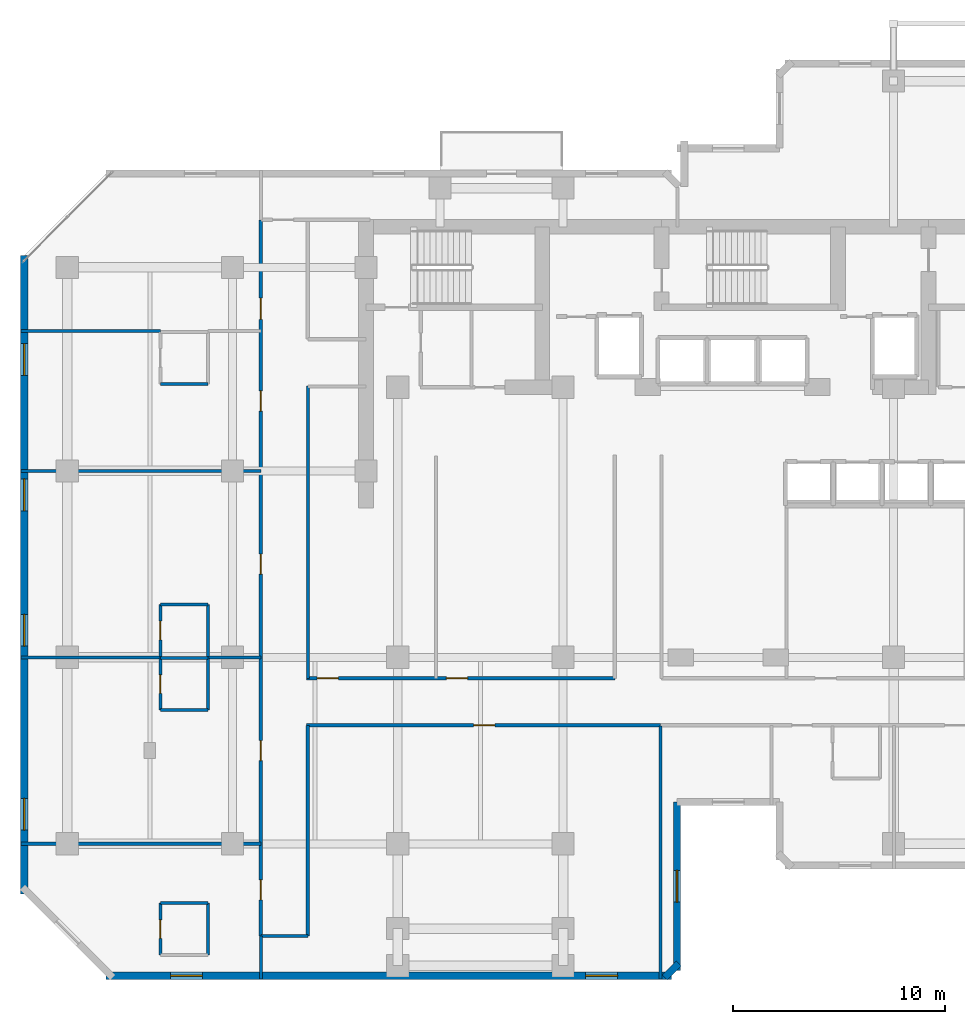
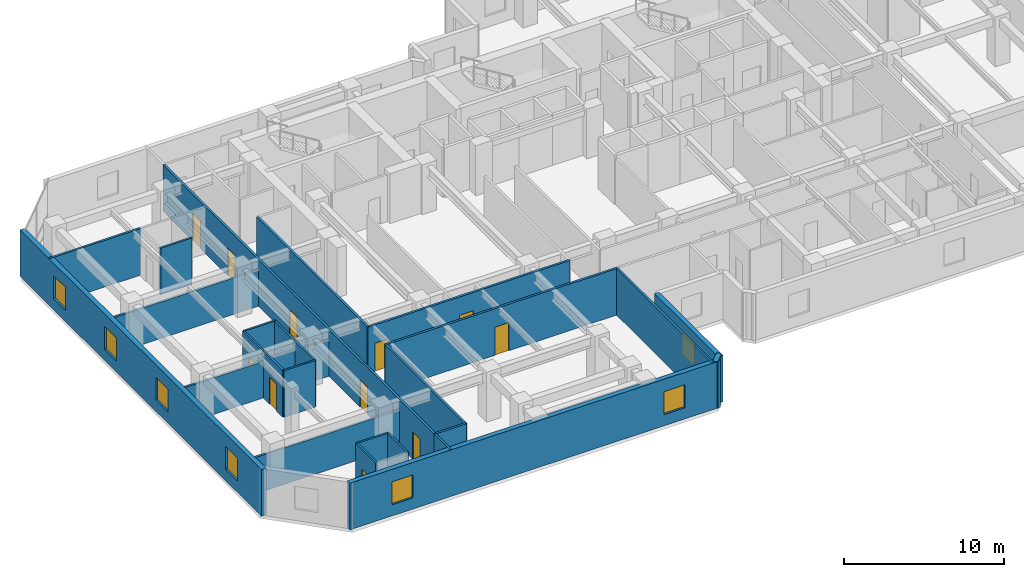
# One storey, part 4 of 9: 28 walls, 11 doors, 7 windows, 18 openings.
"""IFC4 building model written with IfcOpenShell, lengths in metres."""

from ifc_helpers import new_model, si_unit, direction, frame, frame_2d, origin, place, context, subcontext, project, spatial, rectangle, extrude, material, layer, layer_set, type_object, element, fill, save


model = new_model("IFC4")

# Units and contexts
model_context = context("Model", 3, precision=1e-05, world=origin(), true_north=direction((0.0, 1.0)))
body_context = subcontext(model_context, "Body", "Model", "MODEL_VIEW")
ifc_project = project(units=[si_unit("LENGTHUNIT", "METRE"), si_unit("AREAUNIT", "SQUARE_METRE"), si_unit("VOLUMEUNIT", "CUBIC_METRE"), si_unit("PLANEANGLEUNIT", "RADIAN"), si_unit("MASSUNIT", "GRAM", prefix="KILO")], contexts=[model_context])

# Site, building, storey
site_placement = place(None, origin())
site = spatial("IfcSite", under=ifc_project, at=site_placement, CompositionType="ELEMENT")
building_placement = place(site_placement, origin())
building = spatial("IfcBuilding", under=site, at=building_placement, Name="Kestravale Grand Hotel", CompositionType="ELEMENT")
storey_placement = place(building_placement, frame((0.0, 0.0, 146.0)))
storey = spatial("IfcBuildingStorey", under=building, at=storey_placement, Name="L36", CompositionType="ELEMENT", Elevation=146.0)

# Wall, openings, windows
ifc_material_1 = material(Name="Precast concrete f'c 45 MPa", Category="concrete")
ifc_layer_1 = layer(ifc_material_1, 0.340087890625)
ifc_layer_set_1 = layer_set([ifc_layer_1], Name="EW-PREC-340")
wall_type_1 = type_object("IfcWallType", Name="EW-PREC-340", PredefinedType="SOLIDWALL", material=ifc_layer_set_1)
wall_1_placement = place(storey_placement, frame((9.6298828125, 4.969970703125, 0.0), z_axis=(0.0, 0.0, 1.0), x_axis=(1.0, 0.0, 0.0)))
wall_1 = element("IfcWall", 1, at=wall_1_placement, inside=storey, type_object=wall_type_1, Name="L36 fluted precast facade wall 1", PredefinedType="SOLIDWALL", context=body_context, shape_type="SweptSolid", body=[
    extrude(rectangle(XDim=26.690185546875, YDim=0.340087890625, at=frame_2d((13.34521484375, 0.0))), origin(), (0.0, 0.0, 1.0), 3.550048828125),
])
opening_1_placement = place(wall_1_placement, frame((3.04833984375, 0.0, 0.85009765625)))
opening_1 = element("IfcOpeningElement", 2, at=opening_1_placement, cuts=wall_1, Name="Opening W-GUEST-1500", PredefinedType="OPENING", context=body_context, shape_type="SweptSolid", body=[
    extrude(rectangle(XDim=1.5, YDim=1.75, at=frame_2d((0.75, 0.875))), frame((0.0, 0.179931640625, 0.0), z_axis=(0.0, -1.0, 0.0), x_axis=(1.0, 0.0, 0.0)), (0.0, 0.0, 1.0), 0.360107421875),
])
opening_2_placement = place(wall_1_placement, frame((22.6416015625, 0.0, 0.85009765625)))
opening_2 = element("IfcOpeningElement", 3, at=opening_2_placement, cuts=wall_1, Name="Opening W-GUEST-1500", PredefinedType="OPENING", context=body_context, shape_type="SweptSolid", body=[
    extrude(rectangle(XDim=1.5, YDim=1.75, at=frame_2d((0.75, 0.875))), frame((0.0, 0.179931640625, 0.0), z_axis=(0.0, -1.0, 0.0), x_axis=(1.0, 0.0, 0.0)), (0.0, 0.0, 1.0), 0.360107421875),
])
ifc_material_2 = material(Name="Insulated low-E double glazing in aluminium frame", Category="aluminium")
window_type = type_object("IfcWindowType", Name="W-GUEST-1500", PartitioningType="SINGLE_PANEL", PredefinedType="WINDOW", material=ifc_material_2)
window_1_placement = place(opening_1_placement, origin())
window_1 = element("IfcWindow", 4, at=window_1_placement, inside=storey, type_object=window_type, Name="L36 exterior window 1.1", OverallHeight=1.75, OverallWidth=1.5, PartitioningType="SINGLE_PANEL", PredefinedType="WINDOW", context=body_context, shape_type="SweptSolid", body=[
    extrude(rectangle(XDim=1.5, YDim=1.75, at=frame_2d((0.75, 0.875))), frame((0.0, 0.030029296875, 0.0), z_axis=(0.0, -1.0, 0.0), x_axis=(1.0, 0.0, 0.0)), (0.0, 0.0, 1.0), 0.06005859375),
])
fill(opening_1, window_1)
window_2_placement = place(opening_2_placement, origin())
window_2 = element("IfcWindow", 5, at=window_2_placement, inside=storey, type_object=window_type, Name="L36 exterior window 1.2", OverallHeight=1.75, OverallWidth=1.5, PartitioningType="SINGLE_PANEL", PredefinedType="WINDOW", context=body_context, shape_type="SweptSolid", body=[
    extrude(rectangle(XDim=1.5, YDim=1.75, at=frame_2d((0.75, 0.875))), frame((0.0, 0.030029296875, 0.0), z_axis=(0.0, -1.0, 0.0), x_axis=(1.0, 0.0, 0.0)), (0.0, 0.0, 1.0), 0.06005859375),
])
fill(opening_2, window_2)

# Wall
wall_2_placement = place(storey_placement, frame((36.00146484375, 4.891845703125, 0.0), z_axis=(0.0, 0.0, 1.0), x_axis=(0.707106781187, 0.707106781187, 0.0)))
element("IfcWall", 6, at=wall_2_placement, inside=storey, type_object=wall_type_1, Name="L36 fluted precast facade wall 2", PredefinedType="SOLIDWALL", context=body_context, shape_type="SweptSolid", body=[
    extrude(rectangle(XDim=0.9287109375, YDim=0.340087890625, at=frame_2d((0.46435546875, 0.0))), origin(), (0.0, 0.0, 1.0), 3.550048828125),
])

# Wall, opening, window
wall_3_placement = place(storey_placement, frame((36.580078125, 5.22998046875, 0.0), z_axis=(0.0, 0.0, 1.0), x_axis=(0.0, 1.0, 0.0)))
wall_3 = element("IfcWall", 7, at=wall_3_placement, inside=storey, type_object=wall_type_1, Name="L36 fluted precast facade wall 3", PredefinedType="SOLIDWALL", context=body_context, shape_type="SweptSolid", body=[
    extrude(rectangle(XDim=7.93994140625, YDim=0.340087890625, at=frame_2d((3.969970703125, 0.0))), origin(), (0.0, 0.0, 1.0), 3.550048828125),
])
opening_3_placement = place(wall_3_placement, frame((3.219970703125, 0.0, 0.85009765625)))
opening_3 = element("IfcOpeningElement", 8, at=opening_3_placement, cuts=wall_3, Name="Opening W-GUEST-1500", PredefinedType="OPENING", context=body_context, shape_type="SweptSolid", body=[
    extrude(rectangle(XDim=1.5, YDim=1.75, at=frame_2d((0.75, 0.875))), frame((0.0, 0.179931640625, 0.0), z_axis=(0.0, -1.0, 0.0), x_axis=(1.0, 0.0, 0.0)), (0.0, 0.0, 1.0), 0.360107421875),
])
window_3_placement = place(opening_3_placement, origin())
window_3 = element("IfcWindow", 9, at=window_3_placement, inside=storey, type_object=window_type, Name="L36 exterior window 3.1", OverallHeight=1.75, OverallWidth=1.5, PartitioningType="SINGLE_PANEL", PredefinedType="WINDOW", context=body_context, shape_type="SweptSolid", body=[
    extrude(rectangle(XDim=1.5, YDim=1.75, at=frame_2d((0.75, 0.875))), frame((0.0, 0.030029296875, 0.0), z_axis=(0.0, -1.0, 0.0), x_axis=(1.0, 0.0, 0.0)), (0.0, 0.0, 1.0), 0.06005859375),
])
fill(opening_3, window_3)

# Wall, openings, windows
wall_4_placement = place(storey_placement, frame((5.77001953125, 38.969970703125, 0.0), z_axis=(0.0, 0.0, 1.0), x_axis=(0.0, -1.0, 0.0)))
wall_4 = element("IfcWall", 10, at=wall_4_placement, inside=storey, type_object=wall_type_1, Name="L36 fluted precast facade wall 19", PredefinedType="SOLIDWALL", context=body_context, shape_type="SweptSolid", body=[
    extrude(rectangle(XDim=30.139892578125, YDim=0.340087890625, at=frame_2d((15.06982421875, 0.0))), origin(), (0.0, 0.0, 1.0), 3.550048828125),
])
opening_4_placement = place(wall_4_placement, frame((4.16748046875, 0.0, 0.85009765625)))
opening_4 = element("IfcOpeningElement", 11, at=opening_4_placement, cuts=wall_4, Name="Opening W-GUEST-1500", PredefinedType="OPENING", context=body_context, shape_type="SweptSolid", body=[
    extrude(rectangle(XDim=1.5, YDim=1.75, at=frame_2d((0.75, 0.875))), frame((0.0, 0.179931640625, 0.0), z_axis=(0.0, -1.0, 0.0), x_axis=(1.0, 0.0, 0.0)), (0.0, 0.0, 1.0), 0.360107421875),
])
opening_5_placement = place(wall_4_placement, frame((10.552490234375, 0.0, 0.85009765625)))
opening_5 = element("IfcOpeningElement", 12, at=opening_5_placement, cuts=wall_4, Name="Opening W-GUEST-1500", PredefinedType="OPENING", context=body_context, shape_type="SweptSolid", body=[
    extrude(rectangle(XDim=1.5, YDim=1.75, at=frame_2d((0.75, 0.875))), frame((0.0, 0.179931640625, 0.0), z_axis=(0.0, -1.0, 0.0), x_axis=(1.0, 0.0, 0.0)), (0.0, 0.0, 1.0), 0.360107421875),
])
opening_6_placement = place(wall_4_placement, frame((16.9375, 0.0, 0.85009765625)))
opening_6 = element("IfcOpeningElement", 13, at=opening_6_placement, cuts=wall_4, Name="Opening W-GUEST-1500", PredefinedType="OPENING", context=body_context, shape_type="SweptSolid", body=[
    extrude(rectangle(XDim=1.5, YDim=1.75, at=frame_2d((0.75, 0.875))), frame((0.0, 0.179931640625, 0.0), z_axis=(0.0, -1.0, 0.0), x_axis=(1.0, 0.0, 0.0)), (0.0, 0.0, 1.0), 0.360107421875),
])
opening_7_placement = place(wall_4_placement, frame((25.62255859375, 0.0, 0.85009765625)))
opening_7 = element("IfcOpeningElement", 14, at=opening_7_placement, cuts=wall_4, Name="Opening W-GUEST-1500", PredefinedType="OPENING", context=body_context, shape_type="SweptSolid", body=[
    extrude(rectangle(XDim=1.5, YDim=1.75, at=frame_2d((0.75, 0.875))), frame((0.0, 0.179931640625, 0.0), z_axis=(0.0, -1.0, 0.0), x_axis=(1.0, 0.0, 0.0)), (0.0, 0.0, 1.0), 0.360107421875),
])
window_4_placement = place(opening_4_placement, origin())
window_4 = element("IfcWindow", 15, at=window_4_placement, inside=storey, type_object=window_type, Name="L36 exterior window 19.1", OverallHeight=1.75, OverallWidth=1.5, PartitioningType="SINGLE_PANEL", PredefinedType="WINDOW", context=body_context, shape_type="SweptSolid", body=[
    extrude(rectangle(XDim=1.5, YDim=1.75, at=frame_2d((0.75, 0.875))), frame((0.0, 0.030029296875, 0.0), z_axis=(0.0, -1.0, 0.0), x_axis=(1.0, 0.0, 0.0)), (0.0, 0.0, 1.0), 0.06005859375),
])
fill(opening_4, window_4)
window_5_placement = place(opening_5_placement, origin())
window_5 = element("IfcWindow", 16, at=window_5_placement, inside=storey, type_object=window_type, Name="L36 exterior window 19.2", OverallHeight=1.75, OverallWidth=1.5, PartitioningType="SINGLE_PANEL", PredefinedType="WINDOW", context=body_context, shape_type="SweptSolid", body=[
    extrude(rectangle(XDim=1.5, YDim=1.75, at=frame_2d((0.75, 0.875))), frame((0.0, 0.030029296875, 0.0), z_axis=(0.0, -1.0, 0.0), x_axis=(1.0, 0.0, 0.0)), (0.0, 0.0, 1.0), 0.06005859375),
])
fill(opening_5, window_5)
window_6_placement = place(opening_6_placement, origin())
window_6 = element("IfcWindow", 17, at=window_6_placement, inside=storey, type_object=window_type, Name="L36 exterior window 19.3", OverallHeight=1.75, OverallWidth=1.5, PartitioningType="SINGLE_PANEL", PredefinedType="WINDOW", context=body_context, shape_type="SweptSolid", body=[
    extrude(rectangle(XDim=1.5, YDim=1.75, at=frame_2d((0.75, 0.875))), frame((0.0, 0.030029296875, 0.0), z_axis=(0.0, -1.0, 0.0), x_axis=(1.0, 0.0, 0.0)), (0.0, 0.0, 1.0), 0.06005859375),
])
fill(opening_6, window_6)
window_7_placement = place(opening_7_placement, origin())
window_7 = element("IfcWindow", 18, at=window_7_placement, inside=storey, type_object=window_type, Name="L36 exterior window 19.4", OverallHeight=1.75, OverallWidth=1.5, PartitioningType="SINGLE_PANEL", PredefinedType="WINDOW", context=body_context, shape_type="SweptSolid", body=[
    extrude(rectangle(XDim=1.5, YDim=1.75, at=frame_2d((0.75, 0.875))), frame((0.0, 0.030029296875, 0.0), z_axis=(0.0, -1.0, 0.0), x_axis=(1.0, 0.0, 0.0)), (0.0, 0.0, 1.0), 0.06005859375),
])
fill(opening_7, window_7)

# Wall, openings, doors
ifc_material_3 = material(Name="Acoustic fire-rated gypsum board partition", Category="other")
ifc_layer_2 = layer(ifc_material_3, 0.159912109375)
ifc_layer_set_2 = layer_set([ifc_layer_2], Name="IW-CORR-160")
wall_type_2 = type_object("IfcWallType", Name="IW-CORR-160", PredefinedType="PARTITIONING", material=ifc_layer_set_2)
wall_5_placement = place(storey_placement, frame((19.10009765625, 19.010009765625, 0.0), z_axis=(0.0, 0.0, 1.0), x_axis=(1.0, 0.0, 0.0)))
wall_5 = element("IfcWall", 19, at=wall_5_placement, inside=storey, type_object=wall_type_2, Name="W-L36-CW-N", PredefinedType="PARTITIONING", context=body_context, shape_type="SweptSolid", body=[
    extrude(rectangle(XDim=14.5498046875, YDim=0.159912109375, at=frame_2d((7.27490234375, 0.0))), origin(), (0.0, 0.0, 1.0), 3.550048828125),
])
opening_8_placement = place(wall_5_placement, frame((0.5, 0.0, 0.0)))
opening_8 = element("IfcOpeningElement", 20, at=opening_8_placement, cuts=wall_5, Name="Opening D-GUEST-1000", PredefinedType="OPENING", context=body_context, shape_type="SweptSolid", body=[
    extrude(rectangle(XDim=1.0, YDim=2.14990234375, at=frame_2d((0.5, 1.074951171875))), frame((0.0, 0.08984375, 0.0), z_axis=(0.0, -1.0, 0.0), x_axis=(1.0, 0.0, 0.0)), (0.0, 0.0, 1.0), 0.179931640625),
])
opening_9_placement = place(wall_5_placement, frame((6.60009765625, 0.0, 0.0)))
opening_9 = element("IfcOpeningElement", 21, at=opening_9_placement, cuts=wall_5, Name="Opening D-GUEST-1000", PredefinedType="OPENING", context=body_context, shape_type="SweptSolid", body=[
    extrude(rectangle(XDim=1.0, YDim=2.14990234375, at=frame_2d((0.5, 1.074951171875))), frame((0.0, 0.08984375, 0.0), z_axis=(0.0, -1.0, 0.0), x_axis=(1.0, 0.0, 0.0)), (0.0, 0.0, 1.0), 0.179931640625),
])
ifc_material_4 = material(Name="Accessible walnut veneer hotel entrance fire door", Category="wood")
door_type_1 = type_object("IfcDoorType", Name="D-GUEST-1000", OperationType="NOTDEFINED", PredefinedType="DOOR", material=ifc_material_4)
door_1_placement = place(opening_8_placement, origin())
door_1 = element("IfcDoor", 22, at=door_1_placement, inside=storey, type_object=door_type_1, Name="D-L36-RECL-W1", OperationType="SINGLE_SWING_LEFT", OverallHeight=2.14990234375, OverallWidth=1.0, PredefinedType="DOOR", context=body_context, shape_type="SweptSolid", body=[
    extrude(rectangle(XDim=1.0, YDim=2.14990234375, at=frame_2d((0.5, 1.074951171875))), frame((0.0, 0.02490234375, 0.0), z_axis=(0.0, -1.0, 0.0), x_axis=(1.0, 0.0, 0.0)), (0.0, 0.0, 1.0), 0.050048828125),
])
fill(opening_8, door_1)
door_2_placement = place(opening_9_placement, origin())
door_2 = element("IfcDoor", 23, at=door_2_placement, inside=storey, type_object=door_type_1, Name="D-L36-RECL-W2", OperationType="SINGLE_SWING_RIGHT", OverallHeight=2.14990234375, OverallWidth=1.0, PredefinedType="DOOR", context=body_context, shape_type="SweptSolid", body=[
    extrude(rectangle(XDim=1.0, YDim=2.14990234375, at=frame_2d((0.5, 1.074951171875))), frame((0.0, 0.02490234375, 0.0), z_axis=(0.0, -1.0, 0.0), x_axis=(1.0, 0.0, 0.0)), (0.0, 0.0, 1.0), 0.050048828125),
])
fill(opening_9, door_2)

# Wall, opening, door
wall_6_placement = place(storey_placement, frame((19.10009765625, 16.7900390625, 0.0), z_axis=(0.0, 0.0, 1.0), x_axis=(1.0, 0.0, 0.0)))
wall_6 = element("IfcWall", 24, at=wall_6_placement, inside=storey, type_object=wall_type_2, Name="W-L36-CW-S", PredefinedType="PARTITIONING", context=body_context, shape_type="SweptSolid", body=[
    extrude(rectangle(XDim=16.699951171875, YDim=0.159912109375, at=frame_2d((8.35009765625, 0.0))), origin(), (0.0, 0.0, 1.0), 3.550048828125),
])
opening_10_placement = place(wall_6_placement, frame((7.8798828125, 0.0, 0.0)))
opening_10 = element("IfcOpeningElement", 25, at=opening_10_placement, cuts=wall_6, Name="Opening D-GUEST-1000", PredefinedType="OPENING", context=body_context, shape_type="SweptSolid", body=[
    extrude(rectangle(XDim=1.0, YDim=2.14990234375, at=frame_2d((0.5, 1.074951171875))), frame((0.0, 0.08984375, 0.0), z_axis=(0.0, -1.0, 0.0), x_axis=(1.0, 0.0, 0.0)), (0.0, 0.0, 1.0), 0.179931640625),
])
door_3_placement = place(opening_10_placement, origin())
door_3 = element("IfcDoor", 26, at=door_3_placement, inside=storey, type_object=door_type_1, Name="D-L36-AMW", OperationType="SINGLE_SWING_LEFT", OverallHeight=2.14990234375, OverallWidth=1.0, PredefinedType="DOOR", context=body_context, shape_type="SweptSolid", body=[
    extrude(rectangle(XDim=1.0, YDim=2.14990234375, at=frame_2d((0.5, 1.074951171875))), frame((0.0, 0.02490234375, 0.0), z_axis=(0.0, -1.0, 0.0), x_axis=(1.0, 0.0, 0.0)), (0.0, 0.0, 1.0), 0.050048828125),
])
fill(opening_10, door_3)

# Wall, openings, doors
wall_7_placement = place(storey_placement, frame((16.93994140625, 6.85009765625, 0.0), z_axis=(0.0, 0.0, 1.0), x_axis=(0.0, 1.0, 0.0)))
wall_7 = element("IfcWall", 27, at=wall_7_placement, inside=storey, type_object=wall_type_2, Name="W-L36-SW-W", PredefinedType="PARTITIONING", context=body_context, shape_type="SweptSolid", body=[
    extrude(rectangle(XDim=33.7998046875, YDim=0.159912109375, at=frame_2d((16.89990234375, 0.0))), origin(), (0.0, 0.0, 1.0), 3.550048828125),
])
opening_11_placement = place(wall_7_placement, frame((1.699951171875, 0.0, 0.0)))
opening_11 = element("IfcOpeningElement", 28, at=opening_11_placement, cuts=wall_7, Name="Opening D-GUEST-950", PredefinedType="OPENING", context=body_context, shape_type="SweptSolid", body=[
    extrude(rectangle(XDim=0.949951171875, YDim=2.10009765625, at=frame_2d((0.47509765625, 1.050048828125))), frame((0.0, 0.08984375, 0.0), z_axis=(0.0, -1.0, 0.0), x_axis=(1.0, 0.0, 0.0)), (0.0, 0.0, 1.0), 0.179931640625),
])
opening_12_placement = place(wall_7_placement, frame((8.27490234375, 0.0, 0.0)))
opening_12 = element("IfcOpeningElement", 29, at=opening_12_placement, cuts=wall_7, Name="Opening D-GUEST-950", PredefinedType="OPENING", context=body_context, shape_type="SweptSolid", body=[
    extrude(rectangle(XDim=0.949951171875, YDim=2.10009765625, at=frame_2d((0.47509765625, 1.050048828125))), frame((0.0, 0.08984375, 0.0), z_axis=(0.0, -1.0, 0.0), x_axis=(1.0, 0.0, 0.0)), (0.0, 0.0, 1.0), 0.179931640625),
])
opening_13_placement = place(wall_7_placement, frame((17.074951171875, 0.0, 0.0)))
opening_13 = element("IfcOpeningElement", 30, at=opening_13_placement, cuts=wall_7, Name="Opening D-GUEST-950", PredefinedType="OPENING", context=body_context, shape_type="SweptSolid", body=[
    extrude(rectangle(XDim=0.949951171875, YDim=2.10009765625, at=frame_2d((0.47509765625, 1.050048828125))), frame((0.0, 0.08984375, 0.0), z_axis=(0.0, -1.0, 0.0), x_axis=(1.0, 0.0, 0.0)), (0.0, 0.0, 1.0), 0.179931640625),
])
opening_14_placement = place(wall_7_placement, frame((24.77490234375, 0.0, 0.0)))
opening_14 = element("IfcOpeningElement", 31, at=opening_14_placement, cuts=wall_7, Name="Opening D-GUEST-950", PredefinedType="OPENING", context=body_context, shape_type="SweptSolid", body=[
    extrude(rectangle(XDim=0.949951171875, YDim=2.10009765625, at=frame_2d((0.47509765625, 1.050048828125))), frame((0.0, 0.08984375, 0.0), z_axis=(0.0, -1.0, 0.0), x_axis=(1.0, 0.0, 0.0)), (0.0, 0.0, 1.0), 0.179931640625),
])
opening_15_placement = place(wall_7_placement, frame((29.10009765625, 0.0, 0.0)))
opening_15 = element("IfcOpeningElement", 32, at=opening_15_placement, cuts=wall_7, Name="Opening D-GUEST-1000", PredefinedType="OPENING", context=body_context, shape_type="SweptSolid", body=[
    extrude(rectangle(XDim=1.0, YDim=2.14990234375, at=frame_2d((0.5, 1.074951171875))), frame((0.0, 0.08984375, 0.0), z_axis=(0.0, -1.0, 0.0), x_axis=(1.0, 0.0, 0.0)), (0.0, 0.0, 1.0), 0.179931640625),
])
door_4_placement = place(opening_15_placement, origin())
door_4 = element("IfcDoor", 33, at=door_4_placement, inside=storey, type_object=door_type_1, Name="D-L36-AMWW", OperationType="SINGLE_SWING_LEFT", OverallHeight=2.14990234375, OverallWidth=1.0, PredefinedType="DOOR", context=body_context, shape_type="SweptSolid", body=[
    extrude(rectangle(XDim=1.0, YDim=2.14990234375, at=frame_2d((0.5, 1.074951171875))), frame((0.0, 0.02490234375, 0.0), z_axis=(0.0, -1.0, 0.0), x_axis=(1.0, 0.0, 0.0)), (0.0, 0.0, 1.0), 0.050048828125),
])
fill(opening_15, door_4)
ifc_material_5 = material(Name="Walnut veneer hotel guestroom entrance fire door", Category="wood")
door_type_2 = type_object("IfcDoorType", Name="D-GUEST-950", OperationType="NOTDEFINED", PredefinedType="DOOR", material=ifc_material_5)
door_5_placement = place(opening_11_placement, origin())
door_5 = element("IfcDoor", 34, at=door_5_placement, inside=storey, type_object=door_type_2, Name="D-L36-U03-ENT", OperationType="SINGLE_SWING_RIGHT", OverallHeight=2.10009765625, OverallWidth=0.949951171875, PredefinedType="DOOR", context=body_context, shape_type="SweptSolid", body=[
    extrude(rectangle(XDim=0.949951171875, YDim=2.10009765625, at=frame_2d((0.47509765625, 1.050048828125))), frame((0.0, 0.02490234375, 0.0), z_axis=(0.0, -1.0, 0.0), x_axis=(1.0, 0.0, 0.0)), (0.0, 0.0, 1.0), 0.050048828125),
])
fill(opening_11, door_5)
door_6_placement = place(opening_12_placement, origin())
door_6 = element("IfcDoor", 35, at=door_6_placement, inside=storey, type_object=door_type_2, Name="D-L36-U04-ENT", OperationType="SINGLE_SWING_RIGHT", OverallHeight=2.10009765625, OverallWidth=0.949951171875, PredefinedType="DOOR", context=body_context, shape_type="SweptSolid", body=[
    extrude(rectangle(XDim=0.949951171875, YDim=2.10009765625, at=frame_2d((0.47509765625, 1.050048828125))), frame((0.0, 0.02490234375, 0.0), z_axis=(0.0, -1.0, 0.0), x_axis=(1.0, 0.0, 0.0)), (0.0, 0.0, 1.0), 0.050048828125),
])
fill(opening_12, door_6)
door_7_placement = place(opening_13_placement, origin())
door_7 = element("IfcDoor", 36, at=door_7_placement, inside=storey, type_object=door_type_2, Name="D-L36-U05-ENT", OperationType="SINGLE_SWING_RIGHT", OverallHeight=2.10009765625, OverallWidth=0.949951171875, PredefinedType="DOOR", context=body_context, shape_type="SweptSolid", body=[
    extrude(rectangle(XDim=0.949951171875, YDim=2.10009765625, at=frame_2d((0.47509765625, 1.050048828125))), frame((0.0, 0.02490234375, 0.0), z_axis=(0.0, -1.0, 0.0), x_axis=(1.0, 0.0, 0.0)), (0.0, 0.0, 1.0), 0.050048828125),
])
fill(opening_13, door_7)
door_8_placement = place(opening_14_placement, origin())
door_8 = element("IfcDoor", 37, at=door_8_placement, inside=storey, type_object=door_type_2, Name="D-L36-U06-ENT", OperationType="SINGLE_SWING_RIGHT", OverallHeight=2.10009765625, OverallWidth=0.949951171875, PredefinedType="DOOR", context=body_context, shape_type="SweptSolid", body=[
    extrude(rectangle(XDim=0.949951171875, YDim=2.10009765625, at=frame_2d((0.47509765625, 1.050048828125))), frame((0.0, 0.02490234375, 0.0), z_axis=(0.0, -1.0, 0.0), x_axis=(1.0, 0.0, 0.0)), (0.0, 0.0, 1.0), 0.050048828125),
])
fill(opening_14, door_8)

# Wall
wall_8_placement = place(storey_placement, frame((19.159912109375, 6.85009765625, 0.0), z_axis=(0.0, 0.0, 1.0), x_axis=(0.0, 1.0, 0.0)))
element("IfcWall", 38, at=wall_8_placement, inside=storey, type_object=wall_type_2, Name="W-L36-SW-E", PredefinedType="PARTITIONING", context=body_context, shape_type="SweptSolid", body=[
    extrude(rectangle(XDim=9.93994140625, YDim=0.159912109375, at=frame_2d((4.969970703125, 0.0))), origin(), (0.0, 0.0, 1.0), 3.550048828125),
])

# Wall, opening, door
ifc_material_6 = material(Name="Moisture-resistant tile-backer plumbing chase wall", Category="other")
ifc_layer_3 = layer(ifc_material_6, 0.139892578125)
ifc_layer_set_3 = layer_set([ifc_layer_3], Name="IW-PLB-140")
wall_type_3 = type_object("IfcWallType", Name="IW-PLB-140", PredefinedType="PLUMBINGWALL", material=ifc_layer_set_3)
wall_9_placement = place(storey_placement, frame((12.199951171875, 5.949951171875, 0.0), z_axis=(0.0, 0.0, 1.0), x_axis=(0.0, 1.0, 0.0)))
wall_9 = element("IfcWall", 39, at=wall_9_placement, inside=storey, type_object=wall_type_3, Name="W-L36-U03-BW", PredefinedType="PLUMBINGWALL", context=body_context, shape_type="SweptSolid", body=[
    extrude(rectangle(XDim=2.449951171875, YDim=0.139892578125, at=frame_2d((1.22509765625, 0.0))), origin(), (0.0, 0.0, 1.0), 3.550048828125),
])
opening_16_placement = place(wall_9_placement, frame((0.784912109375, 0.0, 0.0)))
opening_16 = element("IfcOpeningElement", 40, at=opening_16_placement, cuts=wall_9, Name="Opening D-BATH-880", PredefinedType="OPENING", context=body_context, shape_type="SweptSolid", body=[
    extrude(rectangle(XDim=0.8798828125, YDim=2.050048828125, at=frame_2d((0.43994140625, 1.02490234375))), frame((0.0, 0.079833984375, 0.0), z_axis=(0.0, -1.0, 0.0), x_axis=(1.0, 0.0, 0.0)), (0.0, 0.0, 1.0), 0.159912109375),
])
ifc_material_7 = material(Name="Moisture-sealed walnut en-suite bathroom door", Category="wood")
door_type_3 = type_object("IfcDoorType", Name="D-BATH-880", OperationType="NOTDEFINED", PredefinedType="DOOR", material=ifc_material_7)
door_9_placement = place(opening_16_placement, origin())
door_9 = element("IfcDoor", 41, at=door_9_placement, inside=storey, type_object=door_type_3, Name="D-L36-U03-BATH", OperationType="SINGLE_SWING_LEFT", OverallHeight=2.050048828125, OverallWidth=0.8798828125, PredefinedType="DOOR", context=body_context, shape_type="SweptSolid", body=[
    extrude(rectangle(XDim=0.8798828125, YDim=2.050048828125, at=frame_2d((0.43994140625, 1.02490234375))), frame((0.0, 0.02490234375, 0.0), z_axis=(0.0, -1.0, 0.0), x_axis=(1.0, 0.0, 0.0)), (0.0, 0.0, 1.0), 0.050048828125),
])
fill(opening_16, door_9)

# Walls
wall_10_placement = place(storey_placement, frame((14.449951171875, 5.949951171875, 0.0), z_axis=(0.0, 0.0, 1.0), x_axis=(0.0, 1.0, 0.0)))
element("IfcWall", 42, at=wall_10_placement, inside=storey, type_object=wall_type_3, Name="W-L36-U03-BE", PredefinedType="PLUMBINGWALL", context=body_context, shape_type="SweptSolid", body=[
    extrude(rectangle(XDim=2.449951171875, YDim=0.139892578125, at=frame_2d((1.22509765625, 0.0))), origin(), (0.0, 0.0, 1.0), 3.550048828125),
])
wall_11_placement = place(storey_placement, frame((12.199951171875, 8.39990234375, 0.0), z_axis=(0.0, 0.0, 1.0), x_axis=(1.0, 0.0, 0.0)))
element("IfcWall", 43, at=wall_11_placement, inside=storey, type_object=wall_type_3, Name="W-L36-U03-BN", PredefinedType="PLUMBINGWALL", context=body_context, shape_type="SweptSolid", body=[
    extrude(rectangle(XDim=2.25, YDim=0.139892578125, at=frame_2d((1.125, 0.0))), origin(), (0.0, 0.0, 1.0), 3.550048828125),
])

# Wall, opening, door
wall_12_placement = place(storey_placement, frame((12.199951171875, 17.510009765625, 0.0), z_axis=(0.0, 0.0, 1.0), x_axis=(0.0, 1.0, 0.0)))
wall_12 = element("IfcWall", 44, at=wall_12_placement, inside=storey, type_object=wall_type_3, Name="W-L36-U04-BW", PredefinedType="PLUMBINGWALL", context=body_context, shape_type="SweptSolid", body=[
    extrude(rectangle(XDim=2.449951171875, YDim=0.139892578125, at=frame_2d((1.22509765625, 0.0))), origin(), (0.0, 0.0, 1.0), 3.550048828125),
])
opening_17_placement = place(wall_12_placement, frame((0.784912109375, 0.0, 0.0)))
opening_17 = element("IfcOpeningElement", 45, at=opening_17_placement, cuts=wall_12, Name="Opening D-BATH-880", PredefinedType="OPENING", context=body_context, shape_type="SweptSolid", body=[
    extrude(rectangle(XDim=0.8798828125, YDim=2.050048828125, at=frame_2d((0.43994140625, 1.02490234375))), frame((0.0, 0.079833984375, 0.0), z_axis=(0.0, -1.0, 0.0), x_axis=(1.0, 0.0, 0.0)), (0.0, 0.0, 1.0), 0.159912109375),
])
door_10_placement = place(opening_17_placement, origin())
door_10 = element("IfcDoor", 46, at=door_10_placement, inside=storey, type_object=door_type_3, Name="D-L36-U04-BATH", OperationType="SINGLE_SWING_LEFT", OverallHeight=2.050048828125, OverallWidth=0.8798828125, PredefinedType="DOOR", context=body_context, shape_type="SweptSolid", body=[
    extrude(rectangle(XDim=0.8798828125, YDim=2.050048828125, at=frame_2d((0.43994140625, 1.02490234375))), frame((0.0, 0.02490234375, 0.0), z_axis=(0.0, -1.0, 0.0), x_axis=(1.0, 0.0, 0.0)), (0.0, 0.0, 1.0), 0.050048828125),
])
fill(opening_17, door_10)

# Walls
wall_13_placement = place(storey_placement, frame((14.449951171875, 17.510009765625, 0.0), z_axis=(0.0, 0.0, 1.0), x_axis=(0.0, 1.0, 0.0)))
element("IfcWall", 47, at=wall_13_placement, inside=storey, type_object=wall_type_3, Name="W-L36-U04-BE", PredefinedType="PLUMBINGWALL", context=body_context, shape_type="SweptSolid", body=[
    extrude(rectangle(XDim=2.449951171875, YDim=0.139892578125, at=frame_2d((1.22509765625, 0.0))), origin(), (0.0, 0.0, 1.0), 3.550048828125),
])
wall_14_placement = place(storey_placement, frame((12.199951171875, 17.510009765625, 0.0), z_axis=(0.0, 0.0, 1.0), x_axis=(1.0, 0.0, 0.0)))
element("IfcWall", 48, at=wall_14_placement, inside=storey, type_object=wall_type_3, Name="W-L36-U04-BS", PredefinedType="PLUMBINGWALL", context=body_context, shape_type="SweptSolid", body=[
    extrude(rectangle(XDim=2.25, YDim=0.139892578125, at=frame_2d((1.125, 0.0))), origin(), (0.0, 0.0, 1.0), 3.550048828125),
])
wall_15_placement = place(storey_placement, frame((12.199951171875, 19.9599609375, 0.0), z_axis=(0.0, 0.0, 1.0), x_axis=(1.0, 0.0, 0.0)))
element("IfcWall", 49, at=wall_15_placement, inside=storey, type_object=wall_type_3, Name="W-L36-U04-BN", PredefinedType="PLUMBINGWALL", context=body_context, shape_type="SweptSolid", body=[
    extrude(rectangle(XDim=2.25, YDim=0.139892578125, at=frame_2d((1.125, 0.0))), origin(), (0.0, 0.0, 1.0), 2.89990234375),
])

# Wall, opening, door
wall_16_placement = place(storey_placement, frame((12.199951171875, 20.0400390625, 0.0), z_axis=(0.0, 0.0, 1.0), x_axis=(0.0, 1.0, 0.0)))
wall_16 = element("IfcWall", 50, at=wall_16_placement, inside=storey, type_object=wall_type_3, Name="W-L36-U05-BW", PredefinedType="PLUMBINGWALL", context=body_context, shape_type="SweptSolid", body=[
    extrude(rectangle(XDim=2.449951171875, YDim=0.139892578125, at=frame_2d((1.22509765625, 0.0))), origin(), (0.0, 0.0, 1.0), 3.550048828125),
])
opening_18_placement = place(wall_16_placement, frame((0.784912109375, 0.0, 0.0)))
opening_18 = element("IfcOpeningElement", 51, at=opening_18_placement, cuts=wall_16, Name="Opening D-BATH-880", PredefinedType="OPENING", context=body_context, shape_type="SweptSolid", body=[
    extrude(rectangle(XDim=0.8798828125, YDim=2.050048828125, at=frame_2d((0.43994140625, 1.02490234375))), frame((0.0, 0.079833984375, 0.0), z_axis=(0.0, -1.0, 0.0), x_axis=(1.0, 0.0, 0.0)), (0.0, 0.0, 1.0), 0.159912109375),
])
door_11_placement = place(opening_18_placement, origin())
door_11 = element("IfcDoor", 52, at=door_11_placement, inside=storey, type_object=door_type_3, Name="D-L36-U05-BATH", OperationType="SINGLE_SWING_LEFT", OverallHeight=2.050048828125, OverallWidth=0.8798828125, PredefinedType="DOOR", context=body_context, shape_type="SweptSolid", body=[
    extrude(rectangle(XDim=0.8798828125, YDim=2.050048828125, at=frame_2d((0.43994140625, 1.02490234375))), frame((0.0, 0.02490234375, 0.0), z_axis=(0.0, -1.0, 0.0), x_axis=(1.0, 0.0, 0.0)), (0.0, 0.0, 1.0), 0.050048828125),
])
fill(opening_18, door_11)

# Walls
wall_17_placement = place(storey_placement, frame((14.449951171875, 20.0400390625, 0.0), z_axis=(0.0, 0.0, 1.0), x_axis=(0.0, 1.0, 0.0)))
element("IfcWall", 53, at=wall_17_placement, inside=storey, type_object=wall_type_3, Name="W-L36-U05-BE", PredefinedType="PLUMBINGWALL", context=body_context, shape_type="SweptSolid", body=[
    extrude(rectangle(XDim=2.449951171875, YDim=0.139892578125, at=frame_2d((1.22509765625, 0.0))), origin(), (0.0, 0.0, 1.0), 3.550048828125),
])
for number, where, z_axis, x_axis, name in (
    (54, (12.199951171875, 22.489990234375, 0.0), (0.0, 0.0, 1.0), (1.0, 0.0, 0.0), "W-L36-U05-BN"),
    (55, (12.199951171875, 32.909912109375, 0.0), (0.0, 0.0, 1.0), (1.0, 0.0, 0.0), "W-L36-U06-BS"),
):
    element("IfcWall", number, at=place(storey_placement, frame(where, z_axis=z_axis, x_axis=x_axis)), inside=storey, type_object=wall_type_3, Name=name, PredefinedType="PLUMBINGWALL", context=body_context, shape_type="SweptSolid", body=[
        extrude(rectangle(XDim=2.25, YDim=0.139892578125, at=frame_2d((1.125, 0.0))), origin(), (0.0, 0.0, 1.0), 3.550048828125),
    ])
ifc_material_8 = material(Name="Double-stud STC 52 acoustic demising partition", Category="other")
ifc_layer_4 = layer(ifc_material_8, 0.14990234375)
ifc_layer_set_4 = layer_set([ifc_layer_4], Name="IW-UNIT-150")
wall_type_4 = type_object("IfcWallType", Name="IW-UNIT-150", PredefinedType="PARTITIONING", material=ifc_layer_set_4)
wall_18_placement = place(storey_placement, frame((16.93994140625, 6.85009765625, 0.0), z_axis=(0.0, 0.0, 1.0), x_axis=(1.0, 0.0, 0.0)))
element("IfcWall", 56, at=wall_18_placement, inside=storey, type_object=wall_type_4, Name="W-L36-SW-S", PredefinedType="PARTITIONING", context=body_context, shape_type="SweptSolid", body=[
    extrude(rectangle(XDim=2.219970703125, YDim=0.14990234375, at=frame_2d((1.10986328125, 0.0))), origin(), (0.0, 0.0, 1.0), 3.550048828125),
])
wall_19_placement = place(storey_placement, frame((19.159912109375, 19.010009765625, 0.0), z_axis=(0.0, 0.0, 1.0), x_axis=(0.0, 1.0, 0.0)))
element("IfcWall", 57, at=wall_19_placement, inside=storey, type_object=wall_type_4, Name="W-L36-RCLW-W", PredefinedType="PARTITIONING", context=body_context, shape_type="SweptSolid", body=[
    extrude(rectangle(XDim=13.7900390625, YDim=0.14990234375, at=frame_2d((6.89501953125, 0.0))), origin(), (0.0, 0.0, 1.0), 3.550048828125),
])
wall_20_placement = place(storey_placement, frame((35.800048828125, 4.820068359375, 0.0), z_axis=(0.0, 0.0, 1.0), x_axis=(0.0, 1.0, 0.0)))
element("IfcWall", 58, at=wall_20_placement, inside=storey, type_object=wall_type_4, Name="W-L36-MID-S", PredefinedType="PARTITIONING", context=body_context, shape_type="SweptSolid", body=[
    extrude(rectangle(XDim=11.949951171875, YDim=0.14990234375, at=frame_2d((5.97509765625, 0.0))), origin(), (0.0, 0.0, 1.0), 3.550048828125),
])
wall_21_placement = place(storey_placement, frame((16.93994140625, 4.820068359375, 0.0), z_axis=(0.0, 0.0, 1.0), x_axis=(0.0, 1.0, 0.0)))
element("IfcWall", 59, at=wall_21_placement, inside=storey, type_object=wall_type_4, Name="W-L36-SW-EXT", PredefinedType="PARTITIONING", context=body_context, shape_type="SweptSolid", body=[
    extrude(rectangle(XDim=2.030029296875, YDim=0.14990234375, at=frame_2d((1.01513671875, 0.0))), origin(), (0.0, 0.0, 1.0), 3.550048828125),
])
wall_22_placement = place(storey_placement, frame((5.6201171875, 11.199951171875, 0.0), z_axis=(0.0, 0.0, 1.0), x_axis=(1.0, 0.0, 0.0)))
element("IfcWall", 60, at=wall_22_placement, inside=storey, type_object=wall_type_4, Name="W-L36-WW-1", PredefinedType="PARTITIONING", context=body_context, shape_type="SweptSolid", body=[
    extrude(rectangle(XDim=11.31982421875, YDim=0.14990234375, at=frame_2d((5.659912109375, 0.0))), origin(), (0.0, 0.0, 1.0), 2.778076171875),
])
wall_23_placement = place(storey_placement, frame((5.6201171875, 20.0, 0.0), z_axis=(0.0, 0.0, 1.0), x_axis=(1.0, 0.0, 0.0)))
element("IfcWall", 61, at=wall_23_placement, inside=storey, type_object=wall_type_4, Name="W-L36-WW-2", PredefinedType="PARTITIONING", context=body_context, shape_type="SweptSolid", body=[
    extrude(rectangle(XDim=6.579833984375, YDim=0.14990234375, at=frame_2d((3.2900390625, 0.0))), origin(), (0.0, 0.0, 1.0), 2.778076171875),
])
wall_24_placement = place(storey_placement, frame((14.449951171875, 20.0, 0.0), z_axis=(0.0, 0.0, 1.0), x_axis=(1.0, 0.0, 0.0)))
element("IfcWall", 62, at=wall_24_placement, inside=storey, type_object=wall_type_4, Name="W-L36-WW-2", PredefinedType="PARTITIONING", context=body_context, shape_type="SweptSolid", body=[
    extrude(rectangle(XDim=2.489990234375, YDim=0.14990234375, at=frame_2d((1.2451171875, 0.0))), origin(), (0.0, 0.0, 1.0), 2.778076171875),
])
wall_25_placement = place(storey_placement, frame((5.6201171875, 28.800048828125, 0.0), z_axis=(0.0, 0.0, 1.0), x_axis=(1.0, 0.0, 0.0)))
element("IfcWall", 63, at=wall_25_placement, inside=storey, type_object=wall_type_4, Name="W-L36-WW-3", PredefinedType="PARTITIONING", context=body_context, shape_type="SweptSolid", body=[
    extrude(rectangle(XDim=11.31982421875, YDim=0.14990234375, at=frame_2d((5.659912109375, 0.0))), origin(), (0.0, 0.0, 1.0), 2.778076171875),
])
wall_26_placement = place(storey_placement, frame((5.6201171875, 35.39990234375, 0.0), z_axis=(0.0, 0.0, 1.0), x_axis=(1.0, 0.0, 0.0)))
element("IfcWall", 64, at=wall_26_placement, inside=storey, type_object=wall_type_4, Name="W-L36-WW-4", PredefinedType="PARTITIONING", context=body_context, shape_type="SweptSolid", body=[
    extrude(rectangle(XDim=6.579833984375, YDim=0.14990234375, at=frame_2d((3.2900390625, 0.0))), origin(), (0.0, 0.0, 1.0), 3.550048828125),
])

save(model, "model.ifc")
